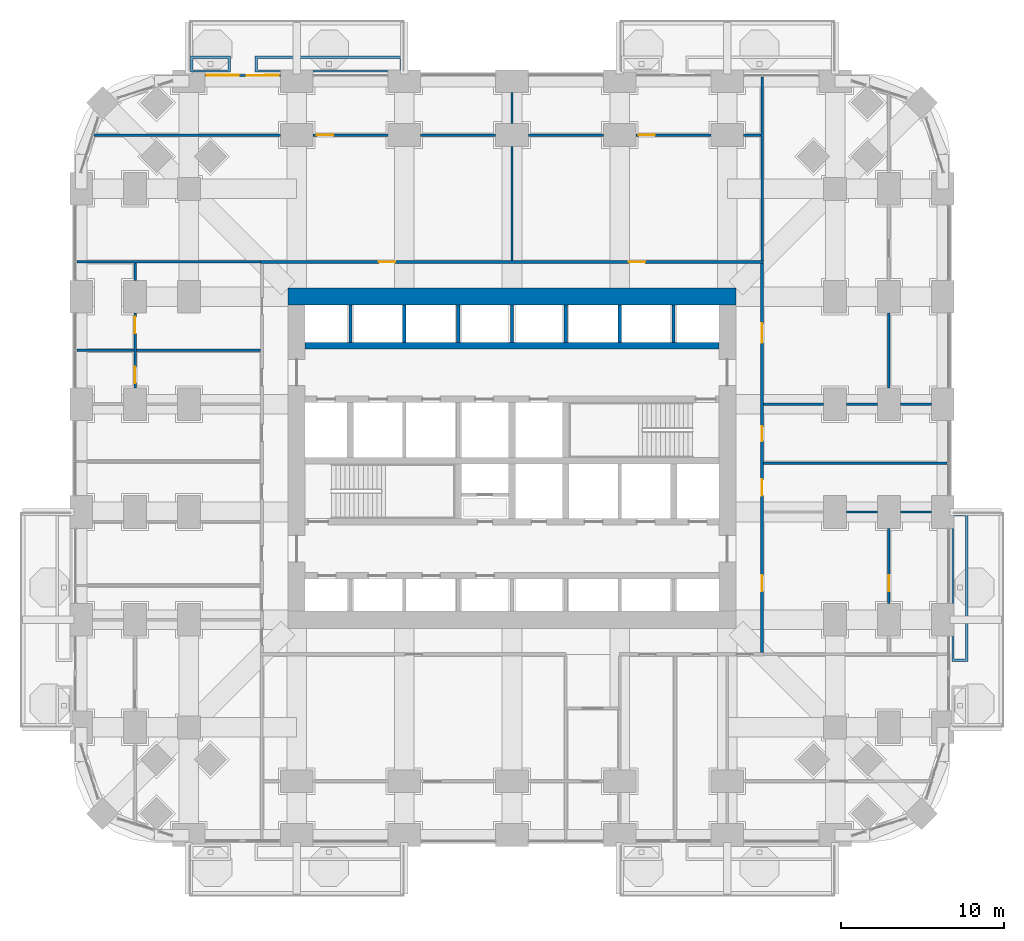
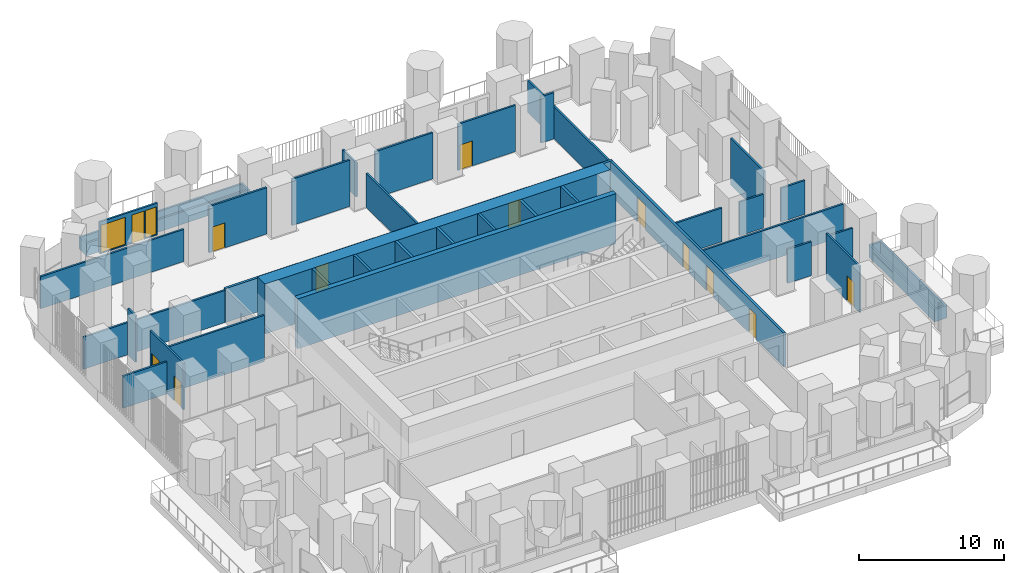
# One storey, part 19 of 25: 37 walls, 12 doors, 2 windows, 14 openings.
"""IFC4 building model written with IfcOpenShell, lengths in metres."""

from ifc_helpers import new_model, si_unit, direction, frame, frame_2d, origin, place, context, subcontext, project, spatial, polyline, rectangle, outline, extrude, material, layer, layer_set, type_object, element, fill, save


model = new_model("IFC4")

# Units and contexts
model_context = context("Model", 3, precision=1e-05, world=origin(), true_north=direction((0.0, 1.0)))
body_context = subcontext(model_context, "Body", "Model", "MODEL_VIEW")
ifc_project = project(units=[si_unit("LENGTHUNIT", "METRE"), si_unit("AREAUNIT", "SQUARE_METRE"), si_unit("VOLUMEUNIT", "CUBIC_METRE"), si_unit("PLANEANGLEUNIT", "RADIAN"), si_unit("MASSUNIT", "GRAM", prefix="KILO")], contexts=[model_context])

# Site, building, storey
site_placement = place(None, origin())
site = spatial("IfcSite", under=ifc_project, at=site_placement, CompositionType="ELEMENT")
building_placement = place(site_placement, origin())
building = spatial("IfcBuilding", under=site, at=building_placement, Name="Cobogo Forest Laboratory Tower", CompositionType="ELEMENT")
storey_placement = place(building_placement, frame((0.0, 0.0, 21.300048828125)))
storey = spatial("IfcBuildingStorey", under=building, at=storey_placement, Name="L04", CompositionType="ELEMENT", Elevation=21.300048828125)

# Walls
ifc_material_1 = material(Name="Concrete HA-50 (C50/60)", Category="concrete")
ifc_layer_1 = layer(ifc_material_1, 0.39990234375)
ifc_layer_set_1 = layer_set([ifc_layer_1], Name="CI400 core inner wall 400")
wall_type_1 = type_object("IfcWallType", Name="CI400 core inner wall 400", PredefinedType="SHEAR", material=ifc_layer_set_1)
wall_1_placement = place(storey_placement, frame((13.72509765625, 30.0, 0.0), z_axis=(0.0, 0.0, 1.0), x_axis=(1.0, 0.0, 0.0)))
element("IfcWall", 1, at=wall_1_placement, inside=storey, type_object=wall_type_1, Name="Core wall CI-30.0 L04", PredefinedType="SHEAR", context=body_context, shape_type="SweptSolid", body=[
    extrude(rectangle(XDim=25.349853515625, YDim=0.39990234375, at=frame_2d((12.6748046875, 0.0))), origin(), (0.0, 0.0, 1.0), 4.199951171875),
])
ifc_layer_2 = layer(ifc_material_1, 1.050048828125)
ifc_layer_set_2 = layer_set([ifc_layer_2], Name="CW1050 core outer wall 1050")
wall_type_2 = type_object("IfcWallType", Name="CW1050 core outer wall 1050", PredefinedType="SHEAR", material=ifc_layer_set_2)
wall_2_placement = place(storey_placement, frame((40.125, 33.0, 0.0), z_axis=(0.0, 0.0, 1.0), x_axis=(-1.0, 0.0, 0.0)))
element("IfcWall", 2, at=wall_2_placement, inside=storey, type_object=wall_type_2, Name="Core wall CO-N L04", PredefinedType="SHEAR", context=body_context, shape_type="SweptSolid", body=[
    extrude(rectangle(XDim=27.449951171875, YDim=1.050048828125, at=frame_2d((13.72509765625, 0.0))), origin(), (0.0, 0.0, 1.0), 4.199951171875),
])

# Wall, openings, door, windows
ifc_material_2 = material(Name="Aluminium framed glazed screen", Category="aluminium")
ifc_layer_3 = layer(ifc_material_2, 0.14990234375)
ifc_layer_set_3 = layer_set([ifc_layer_3], Name="GS1 glazed door screen 150")
wall_type_3 = type_object("IfcWallType", Name="GS1 glazed door screen 150", PredefinedType="SOLIDWALL", material=ifc_layer_set_3)
wall_3_placement = place(storey_placement, frame((12.199951171875, 46.550048828125, 0.0), z_axis=(0.0, 0.0, 1.0), x_axis=(-1.0, 0.0, 0.0)))
wall_3 = element("IfcWall", 3, at=wall_3_placement, inside=storey, type_object=wall_type_3, Name="Door screen BAL-N1 L04", PredefinedType="SOLIDWALL", context=body_context, shape_type="SweptSolid", body=[
    extrude(rectangle(XDim=4.599853515625, YDim=0.14990234375, at=frame_2d((2.2998046875, 0.0))), origin(), (0.0, 0.0, 1.0), 2.699951171875),
])
opening_1_placement = place(wall_3_placement, frame((1.050048828125, 0.0, 0.0)))
opening_1 = element("IfcOpeningElement", 4, at=opening_1_placement, cuts=wall_3, Name="Opening L04-D42", PredefinedType="OPENING", context=body_context, shape_type="SweptSolid", body=[
    extrude(rectangle(XDim=1.0, YDim=2.39990234375, at=frame_2d((0.5, 1.199951171875))), frame((0.0, 0.0849609375, 0.0), z_axis=(0.0, -1.0, 0.0), x_axis=(1.0, 0.0, 0.0)), (0.0, 0.0, 1.0), 0.169921875),
])
opening_2_placement = place(wall_3_placement, frame((0.10009765625, 0.0, 0.10009765625)))
opening_2 = element("IfcOpeningElement", 5, at=opening_2_placement, cuts=wall_3, Name="Opening L04-W10", PredefinedType="OPENING", context=body_context, shape_type="SweptSolid", body=[
    extrude(rectangle(XDim=0.85009765625, YDim=2.300048828125, at=frame_2d((0.425048828125, 1.14990234375))), frame((0.0, 0.0849609375, 0.0), z_axis=(0.0, -1.0, 0.0), x_axis=(1.0, 0.0, 0.0)), (0.0, 0.0, 1.0), 0.169921875),
])
opening_3_placement = place(wall_3_placement, frame((2.550048828125, 0.0, 0.10009765625)))
opening_3 = element("IfcOpeningElement", 6, at=opening_3_placement, cuts=wall_3, Name="Opening L04-W09", PredefinedType="OPENING", context=body_context, shape_type="SweptSolid", body=[
    extrude(rectangle(XDim=1.949951171875, YDim=2.300048828125, at=frame_2d((0.97509765625, 1.14990234375))), frame((0.0, 0.0849609375, 0.0), z_axis=(0.0, -1.0, 0.0), x_axis=(1.0, 0.0, 0.0)), (0.0, 0.0, 1.0), 0.169921875),
])
ifc_material_3 = material(Name="Aluminium glazed door", Category="aluminium")
door_type_1 = type_object("IfcDoorType", Name="DB1 balcony door 1000 glazed", OperationType="SINGLE_SWING_LEFT", PredefinedType="DOOR", material=ifc_material_3)
door_1_placement = place(opening_1_placement, origin())
door_1 = element("IfcDoor", 7, at=door_1_placement, inside=storey, type_object=door_type_1, Name="Door L04-BAL-N1", OperationType="SINGLE_SWING_LEFT", OverallHeight=2.39990234375, OverallWidth=1.0, PredefinedType="DOOR", context=body_context, shape_type="SweptSolid", body=[
    extrude(rectangle(XDim=1.0, YDim=2.39990234375, at=frame_2d((0.5, 1.199951171875))), frame((0.0, 0.02490234375, 0.0), z_axis=(0.0, -1.0, 0.0), x_axis=(1.0, 0.0, 0.0)), (0.0, 0.0, 1.0), 0.050048828125),
])
fill(opening_1, door_1)
ifc_material_4 = material(Name="Aluminium framed glazing", Category="aluminium")
window_type_1 = type_object("IfcWindowType", Name="WG1 fixed glazed light 1950x2300", PartitioningType="SINGLE_PANEL", PredefinedType="WINDOW", material=ifc_material_4)
window_1_placement = place(opening_3_placement, origin())
window_1 = element("IfcWindow", 8, at=window_1_placement, inside=storey, type_object=window_type_1, Name="Window L04-BAL-N1-2", OverallHeight=2.300048828125, OverallWidth=1.949951171875, PartitioningType="SINGLE_PANEL", PredefinedType="WINDOW", context=body_context, shape_type="SweptSolid", body=[
    extrude(rectangle(XDim=1.949951171875, YDim=2.300048828125, at=frame_2d((0.97509765625, 1.14990234375))), frame((0.0, 0.030029296875, 0.0), z_axis=(0.0, -1.0, 0.0), x_axis=(1.0, 0.0, 0.0)), (0.0, 0.0, 1.0), 0.06005859375),
])
fill(opening_3, window_1)
window_type_2 = type_object("IfcWindowType", Name="WG2 fixed glazed light 850x2300", PartitioningType="SINGLE_PANEL", PredefinedType="WINDOW", material=ifc_material_4)
window_2_placement = place(opening_2_placement, origin())
window_2 = element("IfcWindow", 9, at=window_2_placement, inside=storey, type_object=window_type_2, Name="Window L04-BAL-N1-1", OverallHeight=2.300048828125, OverallWidth=0.85009765625, PartitioningType="SINGLE_PANEL", PredefinedType="WINDOW", context=body_context, shape_type="SweptSolid", body=[
    extrude(rectangle(XDim=0.85009765625, YDim=2.300048828125, at=frame_2d((0.425048828125, 1.14990234375))), frame((0.0, 0.030029296875, 0.0), z_axis=(0.0, -1.0, 0.0), x_axis=(1.0, 0.0, 0.0)), (0.0, 0.0, 1.0), 0.06005859375),
])
fill(opening_2, window_2)

# Walls
ifc_material_5 = material(Name="Gypsum board on steel studs", Category="steel")
ifc_layer_4 = layer(ifc_material_5, 0.14990234375)
ifc_layer_set_4 = layer_set([ifc_layer_4], Name="PT1 laboratory partition 150")
wall_type_4 = type_object("IfcWallType", Name="PT1 laboratory partition 150", PredefinedType="PARTITIONING", material=ifc_layer_set_4)
wall_4_placement = place(storey_placement, frame((41.72509765625, 46.469970703125, 0.0), z_axis=(0.0, 0.0, 1.0), x_axis=(0.0, -1.0, 0.0)))
element("IfcWall", 10, at=wall_4_placement, inside=storey, type_object=wall_type_4, Name="Partition PW-NE L04", PredefinedType="PARTITIONING", context=body_context, shape_type="SweptSolid", body=[
    extrude(rectangle(XDim=11.244873046875, YDim=0.14990234375, at=frame_2d((5.62255859375, 0.0))), origin(), (0.0, 0.0, 1.0), 2.699951171875),
])
wall_5_placement = place(storey_placement, frame((-0.27001953125, 35.125, 0.0), z_axis=(0.0, 0.0, 1.0), x_axis=(1.0, 0.0, 0.0)))
element("IfcWall", 11, at=wall_5_placement, inside=storey, type_object=wall_type_4, Name="Partition PW-NW L04", PredefinedType="PARTITIONING", context=body_context, shape_type="SweptSolid", body=[
    extrude(rectangle(XDim=11.2451171875, YDim=0.14990234375, at=frame_2d((5.62255859375, 0.0))), origin(), (0.0, 0.0, 1.0), 2.699951171875),
])

# Wall, opening, door
wall_6_placement = place(storey_placement, frame((49.5, 14.199951171875, 0.0), z_axis=(0.0, 0.0, 1.0), x_axis=(0.0, 1.0, 0.0)))
wall_6 = element("IfcWall", 12, at=wall_6_placement, inside=storey, type_object=wall_type_4, Name="Partition STRIP-E-2 L04", PredefinedType="PARTITIONING", context=body_context, shape_type="SweptSolid", body=[
    extrude(rectangle(XDim=4.60009765625, YDim=0.14990234375, at=frame_2d((2.300048828125, 0.0))), origin(), (0.0, 0.0, 1.0), 3.89990234375),
])
opening_4_placement = place(wall_6_placement, frame((0.737548828125, 0.0, 0.0)))
opening_4 = element("IfcOpeningElement", 13, at=opening_4_placement, cuts=wall_6, Name="Opening L04-D17", PredefinedType="OPENING", context=body_context, shape_type="SweptSolid", body=[
    extrude(rectangle(XDim=1.0, YDim=2.10009765625, at=frame_2d((0.5, 1.050048828125))), frame((0.0, 0.0849609375, 0.0), z_axis=(0.0, -1.0, 0.0), x_axis=(1.0, 0.0, 0.0)), (0.0, 0.0, 1.0), 0.169921875),
])
ifc_material_6 = material(Name="Timber fire door", Category="wood")
door_type_2 = type_object("IfcDoorType", Name="FD2 fire door 1000 EI2 30", OperationType="SINGLE_SWING_LEFT", PredefinedType="DOOR", material=ifc_material_6)
door_2_placement = place(opening_4_placement, origin())
door_2 = element("IfcDoor", 14, at=door_2_placement, inside=storey, type_object=door_type_2, Name="Door L04-E1W", OperationType="SINGLE_SWING_LEFT", OverallHeight=2.10009765625, OverallWidth=1.0, PredefinedType="DOOR", context=body_context, shape_type="SweptSolid", body=[
    extrude(rectangle(XDim=1.0, YDim=2.10009765625, at=frame_2d((0.5, 1.050048828125))), frame((0.0, 0.02490234375, 0.0), z_axis=(0.0, -1.0, 0.0), x_axis=(1.0, 0.0, 0.0)), (0.0, 0.0, 1.0), 0.050048828125),
])
fill(opening_4, door_2)

# Walls
wall_7_placement = place(storey_placement, frame((49.5, 27.39990234375, 0.0), z_axis=(0.0, 0.0, 1.0), x_axis=(0.0, 1.0, 0.0)))
element("IfcWall", 15, at=wall_7_placement, inside=storey, type_object=wall_type_4, Name="Partition STRIP-E-3 L04", PredefinedType="PARTITIONING", context=body_context, shape_type="SweptSolid", body=[
    extrude(rectangle(XDim=4.60009765625, YDim=0.14990234375, at=frame_2d((2.300048828125, 0.0))), origin(), (0.0, 0.0, 1.0), 3.89990234375),
])
wall_8_placement = place(storey_placement, frame((53.070068359375, 22.800048828125, 0.0), z_axis=(0.0, 0.0, 1.0), x_axis=(-1.0, 0.0, 0.0)))
element("IfcWall", 16, at=wall_8_placement, inside=storey, type_object=wall_type_4, Name="Partition SVC-E1-1 L04", PredefinedType="PARTITIONING", context=body_context, shape_type="SweptSolid", body=[
    extrude(rectangle(XDim=11.2451171875, YDim=0.14990234375, at=frame_2d((5.62255859375, 0.0))), origin(), (0.0, 0.0, 1.0), 2.699951171875),
])
for number, where, z_axis, x_axis, name in (
    (17, (52.10009765625, 26.39990234375, 0.0), (0.0, 0.0, 1.0), (-1.0, 0.0, 0.0), "Partition SVC-E2-1 L04"),
    (18, (48.800048828125, 26.39990234375, 0.0), (0.0, 0.0, 1.0), (-1.0, 0.0, 0.0), "Partition SVC-E2-2 L04"),
):
    element("IfcWall", number, at=place(storey_placement, frame(where, z_axis=z_axis, x_axis=x_axis)), inside=storey, type_object=wall_type_4, Name=name, PredefinedType="PARTITIONING", context=body_context, shape_type="SweptSolid", body=[
        extrude(rectangle(XDim=1.900146484375, YDim=0.14990234375, at=frame_2d((0.9501953125, 0.0))), origin(), (0.0, 0.0, 1.0), 2.849853515625),
    ])
wall_9_placement = place(storey_placement, frame((45.5, 26.39990234375, 0.0), z_axis=(0.0, 0.0, 1.0), x_axis=(-1.0, 0.0, 0.0)))
element("IfcWall", 19, at=wall_9_placement, inside=storey, type_object=wall_type_4, Name="Partition SVC-E2-3 L04", PredefinedType="PARTITIONING", context=body_context, shape_type="SweptSolid", body=[
    extrude(rectangle(XDim=3.675048828125, YDim=0.14990234375, at=frame_2d((1.83740234375, 0.0))), origin(), (0.0, 0.0, 1.0), 2.849853515625),
])
for number, where, z_axis, x_axis, name in (
    (20, (52.10009765625, 19.800048828125, 0.0), (0.0, 0.0, 1.0), (-1.0, 0.0, 0.0), "Partition CUT-E19.8-1 L04"),
    (21, (48.800048828125, 19.800048828125, 0.0), (0.0, 0.0, 1.0), (-1.0, 0.0, 0.0), "Partition CUT-E19.8-2 L04"),
):
    element("IfcWall", number, at=place(storey_placement, frame(where, z_axis=z_axis, x_axis=x_axis)), inside=storey, type_object=wall_type_4, Name=name, PredefinedType="PARTITIONING", context=body_context, shape_type="SweptSolid", body=[
        extrude(rectangle(XDim=1.900146484375, YDim=0.14990234375, at=frame_2d((0.9501953125, 0.0))), origin(), (0.0, 0.0, 1.0), 2.849853515625),
    ])
wall_10_placement = place(storey_placement, frame((41.64990234375, 42.89990234375, 0.0), z_axis=(0.0, 0.0, 1.0), x_axis=(-1.0, 0.0, 0.0)))
element("IfcWall", 22, at=wall_10_placement, inside=storey, type_object=wall_type_4, Name="Partition STRIP-N-1 L04", PredefinedType="PARTITIONING", context=body_context, shape_type="SweptSolid", body=[
    extrude(rectangle(XDim=1.0498046875, YDim=0.14990234375, at=frame_2d((0.52490234375, 0.0))), origin(), (0.0, 0.0, 1.0), 3.89990234375),
])

# Wall, opening, door
wall_11_placement = place(storey_placement, frame((38.60009765625, 42.89990234375, 0.0), z_axis=(0.0, 0.0, 1.0), x_axis=(-1.0, 0.0, 0.0)))
wall_11 = element("IfcWall", 23, at=wall_11_placement, inside=storey, type_object=wall_type_4, Name="Partition STRIP-N-2 L04", PredefinedType="PARTITIONING", context=body_context, shape_type="SweptSolid", body=[
    extrude(rectangle(XDim=4.60009765625, YDim=0.14990234375, at=frame_2d((2.300048828125, 0.0))), origin(), (0.0, 0.0, 1.0), 3.89990234375),
])
opening_5_placement = place(wall_11_placement, frame((3.4375, 0.0, 0.0)))
opening_5 = element("IfcOpeningElement", 24, at=opening_5_placement, cuts=wall_11, Name="Opening L04-D41", PredefinedType="OPENING", context=body_context, shape_type="SweptSolid", body=[
    extrude(rectangle(XDim=1.0, YDim=2.10009765625, at=frame_2d((0.5, 1.050048828125))), frame((0.0, 0.0849609375, 0.0), z_axis=(0.0, -1.0, 0.0), x_axis=(1.0, 0.0, 0.0)), (0.0, 0.0, 1.0), 0.169921875),
])
door_3_placement = place(opening_5_placement, origin())
door_3 = element("IfcDoor", 25, at=door_3_placement, inside=storey, type_object=door_type_2, Name="Door L04-N2W", OperationType="SINGLE_SWING_RIGHT", OverallHeight=2.10009765625, OverallWidth=1.0, PredefinedType="DOOR", context=body_context, shape_type="SweptSolid", body=[
    extrude(rectangle(XDim=1.0, YDim=2.10009765625, at=frame_2d((0.5, 1.050048828125))), frame((0.0, 0.02490234375, 0.0), z_axis=(0.0, -1.0, 0.0), x_axis=(1.0, 0.0, 0.0)), (0.0, 0.0, 1.0), 0.050048828125),
])
fill(opening_5, door_3)

# Walls
wall_12_placement = place(storey_placement, frame((32.0, 42.89990234375, 0.0), z_axis=(0.0, 0.0, 1.0), x_axis=(-1.0, 0.0, 0.0)))
element("IfcWall", 26, at=wall_12_placement, inside=storey, type_object=wall_type_4, Name="Partition STRIP-N-3 L04", PredefinedType="PARTITIONING", context=body_context, shape_type="SweptSolid", body=[
    extrude(rectangle(XDim=4.60009765625, YDim=0.14990234375, at=frame_2d((2.300048828125, 0.0))), origin(), (0.0, 0.0, 1.0), 3.89990234375),
])
wall_13_placement = place(storey_placement, frame((25.39990234375, 42.89990234375, 0.0), z_axis=(0.0, 0.0, 1.0), x_axis=(-1.0, 0.0, 0.0)))
element("IfcWall", 27, at=wall_13_placement, inside=storey, type_object=wall_type_4, Name="Partition STRIP-N-4 L04", PredefinedType="PARTITIONING", context=body_context, shape_type="SweptSolid", body=[
    extrude(rectangle(XDim=4.599853515625, YDim=0.14990234375, at=frame_2d((2.2998046875, 0.0))), origin(), (0.0, 0.0, 1.0), 3.89990234375),
])

# Wall, opening, door
wall_14_placement = place(storey_placement, frame((18.800048828125, 42.89990234375, 0.0), z_axis=(0.0, 0.0, 1.0), x_axis=(-1.0, 0.0, 0.0)))
wall_14 = element("IfcWall", 28, at=wall_14_placement, inside=storey, type_object=wall_type_4, Name="Partition STRIP-N-5 L04", PredefinedType="PARTITIONING", context=body_context, shape_type="SweptSolid", body=[
    extrude(rectangle(XDim=4.60009765625, YDim=0.14990234375, at=frame_2d((2.300048828125, 0.0))), origin(), (0.0, 0.0, 1.0), 3.89990234375),
])
opening_6_placement = place(wall_14_placement, frame((3.35009765625, 0.0, 0.0)))
opening_6 = element("IfcOpeningElement", 29, at=opening_6_placement, cuts=wall_14, Name="Opening L04-D40", PredefinedType="OPENING", context=body_context, shape_type="SweptSolid", body=[
    extrude(rectangle(XDim=1.0, YDim=2.10009765625, at=frame_2d((0.5, 1.050048828125))), frame((0.0, 0.0849609375, 0.0), z_axis=(0.0, -1.0, 0.0), x_axis=(1.0, 0.0, 0.0)), (0.0, 0.0, 1.0), 0.169921875),
])
door_4_placement = place(opening_6_placement, origin())
door_4 = element("IfcDoor", 30, at=door_4_placement, inside=storey, type_object=door_type_2, Name="Door L04-N1W", OperationType="SINGLE_SWING_RIGHT", OverallHeight=2.10009765625, OverallWidth=1.0, PredefinedType="DOOR", context=body_context, shape_type="SweptSolid", body=[
    extrude(rectangle(XDim=1.0, YDim=2.10009765625, at=frame_2d((0.5, 1.050048828125))), frame((0.0, 0.02490234375, 0.0), z_axis=(0.0, -1.0, 0.0), x_axis=(1.0, 0.0, 0.0)), (0.0, 0.0, 1.0), 0.050048828125),
])
fill(opening_6, door_4)

# Walls
wall_15_placement = place(storey_placement, frame((12.199951171875, 42.89990234375, 0.0), z_axis=(0.0, 0.0, 1.0), x_axis=(-1.0, 0.0, 0.0)))
element("IfcWall", 31, at=wall_15_placement, inside=storey, type_object=wall_type_4, Name="Partition STRIP-N-6 L04", PredefinedType="PARTITIONING", context=body_context, shape_type="SweptSolid", body=[
    extrude(rectangle(XDim=11.423828125, YDim=0.14990234375, at=frame_2d((5.7119140625, 0.0))), origin(), (0.0, 0.0, 1.0), 2.699951171875),
])
wall_16_placement = place(storey_placement, frame((26.39990234375, 45.5, 0.0), z_axis=(0.0, 0.0, 1.0), x_axis=(0.0, -1.0, 0.0)))
element("IfcWall", 32, at=wall_16_placement, inside=storey, type_object=wall_type_4, Name="Partition CUT-N26.4a-1 L04", PredefinedType="PARTITIONING", context=body_context, shape_type="SweptSolid", body=[
    extrude(rectangle(XDim=1.89990234375, YDim=0.14990234375, at=frame_2d((0.949951171875, 0.0))), origin(), (0.0, 0.0, 1.0), 2.849853515625),
])
wall_17_placement = place(storey_placement, frame((26.39990234375, 42.199951171875, 0.0), z_axis=(0.0, 0.0, 1.0), x_axis=(0.0, -1.0, 0.0)))
element("IfcWall", 33, at=wall_17_placement, inside=storey, type_object=wall_type_4, Name="Partition CUT-N26.4b-1 L04", PredefinedType="PARTITIONING", context=body_context, shape_type="SweptSolid", body=[
    extrude(rectangle(XDim=6.974853515625, YDim=0.14990234375, at=frame_2d((3.4873046875, 0.0))), origin(), (0.0, 0.0, 1.0), 2.849853515625),
])
wall_18_placement = place(storey_placement, frame((3.300048828125, 35.050048828125, 0.0), z_axis=(0.0, 0.0, 1.0), x_axis=(0.0, -1.0, 0.0)))
element("IfcWall", 34, at=wall_18_placement, inside=storey, type_object=wall_type_4, Name="Partition STRIP-W-1 L04", PredefinedType="PARTITIONING", context=body_context, shape_type="SweptSolid", body=[
    extrude(rectangle(XDim=1.050048828125, YDim=0.14990234375, at=frame_2d((0.52490234375, 0.0))), origin(), (0.0, 0.0, 1.0), 3.89990234375),
])

# Wall, openings, doors
wall_19_placement = place(storey_placement, frame((3.300048828125, 32.0, 0.0), z_axis=(0.0, 0.0, 1.0), x_axis=(0.0, -1.0, 0.0)))
wall_19 = element("IfcWall", 35, at=wall_19_placement, inside=storey, type_object=wall_type_4, Name="Partition STRIP-W-2 L04", PredefinedType="PARTITIONING", context=body_context, shape_type="SweptSolid", body=[
    extrude(rectangle(XDim=4.60009765625, YDim=0.14990234375, at=frame_2d((2.300048828125, 0.0))), origin(), (0.0, 0.0, 1.0), 3.89990234375),
])
opening_7_placement = place(wall_19_placement, frame((3.300048828125, 0.0, 0.0)))
opening_7 = element("IfcOpeningElement", 36, at=opening_7_placement, cuts=wall_19, Name="Opening L04-D31", PredefinedType="OPENING", context=body_context, shape_type="SweptSolid", body=[
    extrude(rectangle(XDim=1.0, YDim=2.10009765625, at=frame_2d((0.5, 1.050048828125))), frame((0.0, 0.0849609375, 0.0), z_axis=(0.0, -1.0, 0.0), x_axis=(1.0, 0.0, 0.0)), (0.0, 0.0, 1.0), 0.169921875),
])
opening_8_placement = place(wall_19_placement, frame((0.25, 0.0, 0.0)))
opening_8 = element("IfcOpeningElement", 37, at=opening_8_placement, cuts=wall_19, Name="Opening L04-D35", PredefinedType="OPENING", context=body_context, shape_type="SweptSolid", body=[
    extrude(rectangle(XDim=1.0, YDim=2.10009765625, at=frame_2d((0.5, 1.050048828125))), frame((0.0, 0.0849609375, 0.0), z_axis=(0.0, -1.0, 0.0), x_axis=(1.0, 0.0, 0.0)), (0.0, 0.0, 1.0), 0.169921875),
])
door_5_placement = place(opening_7_placement, origin())
door_5 = element("IfcDoor", 38, at=door_5_placement, inside=storey, type_object=door_type_2, Name="Door L04-W3W", OperationType="SINGLE_SWING_RIGHT", OverallHeight=2.10009765625, OverallWidth=1.0, PredefinedType="DOOR", context=body_context, shape_type="SweptSolid", body=[
    extrude(rectangle(XDim=1.0, YDim=2.10009765625, at=frame_2d((0.5, 1.050048828125))), frame((0.0, 0.02490234375, 0.0), z_axis=(0.0, -1.0, 0.0), x_axis=(1.0, 0.0, 0.0)), (0.0, 0.0, 1.0), 0.050048828125),
])
fill(opening_7, door_5)
door_6_placement = place(opening_8_placement, origin())
door_6 = element("IfcDoor", 39, at=door_6_placement, inside=storey, type_object=door_type_2, Name="Door L04-W4W", OperationType="SINGLE_SWING_LEFT", OverallHeight=2.10009765625, OverallWidth=1.0, PredefinedType="DOOR", context=body_context, shape_type="SweptSolid", body=[
    extrude(rectangle(XDim=1.0, YDim=2.10009765625, at=frame_2d((0.5, 1.050048828125))), frame((0.0, 0.02490234375, 0.0), z_axis=(0.0, -1.0, 0.0), x_axis=(1.0, 0.0, 0.0)), (0.0, 0.0, 1.0), 0.050048828125),
])
fill(opening_8, door_6)

# Walls
wall_20_placement = place(storey_placement, frame((-0.27001953125, 29.699951171875, 0.0), z_axis=(0.0, 0.0, 1.0), x_axis=(1.0, 0.0, 0.0)))
element("IfcWall", 40, at=wall_20_placement, inside=storey, type_object=wall_type_4, Name="Partition CUT-W29.7a-1 L04", PredefinedType="PARTITIONING", context=body_context, shape_type="SweptSolid", body=[
    extrude(rectangle(XDim=3.4951171875, YDim=0.14990234375, at=frame_2d((1.74755859375, 0.0))), origin(), (0.0, 0.0, 1.0), 2.699951171875),
])
wall_21_placement = place(storey_placement, frame((3.375, 29.699951171875, 0.0), z_axis=(0.0, 0.0, 1.0), x_axis=(1.0, 0.0, 0.0)))
element("IfcWall", 41, at=wall_21_placement, inside=storey, type_object=wall_type_4, Name="Partition CUT-W29.7b-1 L04", PredefinedType="PARTITIONING", context=body_context, shape_type="SweptSolid", body=[
    extrude(rectangle(XDim=7.60009765625, YDim=0.14990234375, at=frame_2d((3.800048828125, 0.0))), origin(), (0.0, 0.0, 1.0), 3.89990234375),
])

# Wall, openings, doors
ifc_layer_5 = layer(ifc_material_5, 0.199951171875)
ifc_layer_set_5 = layer_set([ifc_layer_5], Name="PT2 fire-rated corridor partition 200")
wall_type_5 = type_object("IfcWallType", Name="PT2 fire-rated corridor partition 200", PredefinedType="PARTITIONING", material=ifc_layer_set_5)
wall_22_placement = place(storey_placement, frame((10.97509765625, 35.125, 0.0), z_axis=(0.0, 0.0, 1.0), x_axis=(1.0, 0.0, 0.0)))
wall_22 = element("IfcWall", 42, at=wall_22_placement, inside=storey, type_object=wall_type_5, Name="Partition CORR-N L04", PredefinedType="PARTITIONING", context=body_context, shape_type="SweptSolid", body=[
    extrude(rectangle(XDim=30.849853515625, YDim=0.199951171875, at=frame_2d((15.4248046875, 0.0))), origin(), (0.0, 0.0, 1.0), 2.849853515625),
])
opening_9_placement = place(wall_22_placement, frame((7.262451171875, 0.0, 0.0)))
opening_9 = element("IfcOpeningElement", 43, at=opening_9_placement, cuts=wall_22, Name="Opening L04-D37", PredefinedType="OPENING", context=body_context, shape_type="SweptSolid", body=[
    extrude(rectangle(XDim=1.0, YDim=2.10009765625, at=frame_2d((0.5, 1.050048828125))), frame((0.0, 0.10986328125, 0.0), z_axis=(0.0, -1.0, 0.0), x_axis=(1.0, 0.0, 0.0)), (0.0, 0.0, 1.0), 0.219970703125),
])
opening_10_placement = place(wall_22_placement, frame((22.58740234375, 0.0, 0.0)))
opening_10 = element("IfcOpeningElement", 44, at=opening_10_placement, cuts=wall_22, Name="Opening L04-D38", PredefinedType="OPENING", context=body_context, shape_type="SweptSolid", body=[
    extrude(rectangle(XDim=1.0, YDim=2.10009765625, at=frame_2d((0.5, 1.050048828125))), frame((0.0, 0.10986328125, 0.0), z_axis=(0.0, -1.0, 0.0), x_axis=(1.0, 0.0, 0.0)), (0.0, 0.0, 1.0), 0.219970703125),
])
door_7_placement = place(opening_9_placement, origin())
door_7 = element("IfcDoor", 45, at=door_7_placement, inside=storey, type_object=door_type_2, Name="Door L04-N1", OperationType="SINGLE_SWING_LEFT", OverallHeight=2.10009765625, OverallWidth=1.0, PredefinedType="DOOR", context=body_context, shape_type="SweptSolid", body=[
    extrude(rectangle(XDim=1.0, YDim=2.10009765625, at=frame_2d((0.5, 1.050048828125))), frame((0.0, 0.02490234375, 0.0), z_axis=(0.0, -1.0, 0.0), x_axis=(1.0, 0.0, 0.0)), (0.0, 0.0, 1.0), 0.050048828125),
])
fill(opening_9, door_7)
door_8_placement = place(opening_10_placement, origin())
door_8 = element("IfcDoor", 46, at=door_8_placement, inside=storey, type_object=door_type_2, Name="Door L04-N2", OperationType="SINGLE_SWING_RIGHT", OverallHeight=2.10009765625, OverallWidth=1.0, PredefinedType="DOOR", context=body_context, shape_type="SweptSolid", body=[
    extrude(rectangle(XDim=1.0, YDim=2.10009765625, at=frame_2d((0.5, 1.050048828125))), frame((0.0, 0.02490234375, 0.0), z_axis=(0.0, -1.0, 0.0), x_axis=(1.0, 0.0, 0.0)), (0.0, 0.0, 1.0), 0.050048828125),
])
fill(opening_10, door_8)

wall_23_placement = place(storey_placement, frame((41.72509765625, 11.175048828125, 0.0), z_axis=(0.0, 0.0, 1.0), x_axis=(0.0, 1.0, 0.0)))
wall_23 = element("IfcWall", 47, at=wall_23_placement, inside=storey, type_object=wall_type_5, Name="Partition CORR-E L04", PredefinedType="PARTITIONING", context=body_context, shape_type="SweptSolid", body=[
    extrude(rectangle(XDim=23.849853515625, YDim=0.199951171875, at=frame_2d((11.9248046875, 0.0))), origin(), (0.0, 0.0, 1.0), 2.849853515625),
])
opening_11_placement = place(wall_23_placement, frame((3.762451171875, 0.0, 0.0)))
opening_11 = element("IfcOpeningElement", 48, at=opening_11_placement, cuts=wall_23, Name="Opening L04-D16", PredefinedType="OPENING", context=body_context, shape_type="SweptSolid", body=[
    extrude(rectangle(XDim=1.0, YDim=2.10009765625, at=frame_2d((0.5, 1.050048828125))), frame((0.0, 0.10986328125, 0.0), z_axis=(0.0, -1.0, 0.0), x_axis=(1.0, 0.0, 0.0)), (0.0, 0.0, 1.0), 0.219970703125),
])
opening_12_placement = place(wall_23_placement, frame((9.625, 0.0, 0.0)))
opening_12 = element("IfcOpeningElement", 49, at=opening_12_placement, cuts=wall_23, Name="Opening L04-D26", PredefinedType="OPENING", context=body_context, shape_type="SweptSolid", body=[
    extrude(rectangle(XDim=1.0, YDim=2.10009765625, at=frame_2d((0.5, 1.050048828125))), frame((0.0, 0.10986328125, 0.0), z_axis=(0.0, -1.0, 0.0), x_axis=(1.0, 0.0, 0.0)), (0.0, 0.0, 1.0), 0.219970703125),
])
opening_13_placement = place(wall_23_placement, frame((12.97509765625, 0.0, 0.0)))
opening_13 = element("IfcOpeningElement", 50, at=opening_13_placement, cuts=wall_23, Name="Opening L04-D27", PredefinedType="OPENING", context=body_context, shape_type="SweptSolid", body=[
    extrude(rectangle(XDim=0.89990234375, YDim=2.10009765625, at=frame_2d((0.449951171875, 1.050048828125))), frame((0.0, 0.10986328125, 0.0), z_axis=(0.0, -1.0, 0.0), x_axis=(1.0, 0.0, 0.0)), (0.0, 0.0, 1.0), 0.219970703125),
])
opening_14_placement = place(wall_23_placement, frame((18.987548828125, 0.0, 0.0)))
opening_14 = element("IfcOpeningElement", 51, at=opening_14_placement, cuts=wall_23, Name="Opening L04-D34", PredefinedType="OPENING", context=body_context, shape_type="SweptSolid", body=[
    extrude(rectangle(XDim=1.199951171875, YDim=2.10009765625, at=frame_2d((0.60009765625, 1.050048828125))), frame((0.0, 0.10986328125, 0.0), z_axis=(0.0, -1.0, 0.0), x_axis=(1.0, 0.0, 0.0)), (0.0, 0.0, 1.0), 0.219970703125),
])
ifc_material_7 = material(Name="Timber door", Category="wood")
door_type_3 = type_object("IfcDoorType", Name="D2 laboratory door 1200 unequal pair", OperationType="DOUBLE_DOOR_SINGLE_SWING", PredefinedType="DOOR", material=ifc_material_7)
door_9_placement = place(opening_14_placement, origin())
door_9 = element("IfcDoor", 52, at=door_9_placement, inside=storey, type_object=door_type_3, Name="Door L04-E2", OperationType="DOUBLE_DOOR_SINGLE_SWING", OverallHeight=2.10009765625, OverallWidth=1.199951171875, PredefinedType="DOOR", context=body_context, shape_type="SweptSolid", body=[
    extrude(rectangle(XDim=1.199951171875, YDim=2.10009765625, at=frame_2d((0.60009765625, 1.050048828125))), frame((0.0, 0.02490234375, 0.0), z_axis=(0.0, -1.0, 0.0), x_axis=(1.0, 0.0, 0.0)), (0.0, 0.0, 1.0), 0.050048828125),
])
fill(opening_14, door_9)
ifc_material_8 = material(Name="Steel fire door", Category="steel")
door_type_4 = type_object("IfcDoorType", Name="FD1 fire door 1000 EI2 60", OperationType="SINGLE_SWING_LEFT", PredefinedType="DOOR", material=ifc_material_8)
door_10_placement = place(opening_12_placement, origin())
door_10 = element("IfcDoor", 53, at=door_10_placement, inside=storey, type_object=door_type_4, Name="Door L04-ELEC", OperationType="SINGLE_SWING_LEFT", OverallHeight=2.10009765625, OverallWidth=1.0, PredefinedType="DOOR", context=body_context, shape_type="SweptSolid", body=[
    extrude(rectangle(XDim=1.0, YDim=2.10009765625, at=frame_2d((0.5, 1.050048828125))), frame((0.0, 0.02490234375, 0.0), z_axis=(0.0, -1.0, 0.0), x_axis=(1.0, 0.0, 0.0)), (0.0, 0.0, 1.0), 0.050048828125),
])
fill(opening_12, door_10)
door_11_placement = place(opening_11_placement, origin())
door_11 = element("IfcDoor", 54, at=door_11_placement, inside=storey, type_object=door_type_2, Name="Door L04-E1", OperationType="SINGLE_SWING_LEFT", OverallHeight=2.10009765625, OverallWidth=1.0, PredefinedType="DOOR", context=body_context, shape_type="SweptSolid", body=[
    extrude(rectangle(XDim=1.0, YDim=2.10009765625, at=frame_2d((0.5, 1.050048828125))), frame((0.0, 0.02490234375, 0.0), z_axis=(0.0, -1.0, 0.0), x_axis=(1.0, 0.0, 0.0)), (0.0, 0.0, 1.0), 0.050048828125),
])
fill(opening_11, door_11)
door_type_5 = type_object("IfcDoorType", Name="FD4 riser access door 900 EI2 60", OperationType="SINGLE_SWING_LEFT", PredefinedType="DOOR", material=ifc_material_8)
door_12_placement = place(opening_13_placement, origin())
door_12 = element("IfcDoor", 55, at=door_12_placement, inside=storey, type_object=door_type_5, Name="Door L04-COMMS", OperationType="SINGLE_SWING_RIGHT", OverallHeight=2.10009765625, OverallWidth=0.89990234375, PredefinedType="DOOR", context=body_context, shape_type="SweptSolid", body=[
    extrude(rectangle(XDim=0.89990234375, YDim=2.10009765625, at=frame_2d((0.449951171875, 1.050048828125))), frame((0.0, 0.02490234375, 0.0), z_axis=(0.0, -1.0, 0.0), x_axis=(1.0, 0.0, 0.0)), (0.0, 0.0, 1.0), 0.050048828125),
])
fill(opening_13, door_12)

# Walls
ifc_material_9 = material(Name="Concrete HA-40 (C40/50)", Category="concrete")
ifc_layer_6 = layer(ifc_material_9, 0.14990234375)
ifc_layer_set_6 = layer_set([ifc_layer_6], Name="Planter box 1000x1050")
wall_type_6 = type_object("IfcWallType", Name="Planter box 1000x1050", PredefinedType="USERDEFINED", material=ifc_layer_set_6)
wall_24_placement = place(storey_placement, origin())
element("IfcWall", 56, at=wall_24_placement, inside=storey, type_object=wall_type_6, Name="Planter BAL-E1-2 L04", ObjectType="PLANTER", PredefinedType="USERDEFINED", context=body_context, shape_type="SweptSolid", body=[
    extrude(outline(polyline([(53.35009765625, 10.64990234375), (54.35009765625, 10.64990234375), (54.35009765625, 19.699951171875), (53.35009765625, 19.699951171875), (53.35009765625, 10.64990234375)]), holes=[polyline([(53.5, 10.800048828125), (54.199951171875, 10.800048828125), (54.199951171875, 19.550048828125), (53.5, 19.550048828125), (53.5, 10.800048828125)])]), origin(), (0.0, 0.0, 1.0), 1.050048828125),
])
wall_25_placement = place(storey_placement, origin())
element("IfcWall", 57, at=wall_25_placement, inside=storey, type_object=wall_type_6, Name="Planter BAL-N1-1 L04", ObjectType="PLANTER", PredefinedType="USERDEFINED", context=body_context, shape_type="SweptSolid", body=[
    extrude(outline(polyline([(6.699951171875, 46.75), (9.14990234375, 46.75), (9.14990234375, 47.75), (6.699951171875, 47.75), (6.699951171875, 46.75)]), holes=[polyline([(6.85009765625, 46.89990234375), (9.0, 46.89990234375), (9.0, 47.60009765625), (6.85009765625, 47.60009765625), (6.85009765625, 46.89990234375)])]), origin(), (0.0, 0.0, 1.0), 1.050048828125),
])
wall_26_placement = place(storey_placement, origin())
element("IfcWall", 58, at=wall_26_placement, inside=storey, type_object=wall_type_6, Name="Planter BAL-N1-2 L04", ObjectType="PLANTER", PredefinedType="USERDEFINED", context=body_context, shape_type="SweptSolid", body=[
    extrude(outline(polyline([(10.64990234375, 46.75), (19.699951171875, 46.75), (19.699951171875, 47.75), (10.64990234375, 47.75), (10.64990234375, 46.75)]), holes=[polyline([(10.800048828125, 46.89990234375), (19.550048828125, 46.89990234375), (19.550048828125, 47.60009765625), (10.800048828125, 47.60009765625), (10.800048828125, 46.89990234375)])]), origin(), (0.0, 0.0, 1.0), 1.050048828125),
])
ifc_material_10 = material(Name="Concrete block", Category="concrete")
ifc_layer_7 = layer(ifc_material_10, 0.199951171875)
ifc_layer_set_7 = layer_set([ifc_layer_7], Name="SW200 lift shaft separator 200")
wall_type_7 = type_object("IfcWallType", Name="SW200 lift shaft separator 200", PredefinedType="PARTITIONING", material=ifc_layer_set_7)
for number, where, z_axis, x_axis, name in (
    (59, (16.5, 30.199951171875, 0.0), (0.0, 0.0, 1.0), (0.0, 1.0, 0.0), "Core wall SEP-N1 L04"),
    (60, (19.800048828125, 30.199951171875, 0.0), (0.0, 0.0, 1.0), (0.0, 1.0, 0.0), "Core wall SEP-N2 L04"),
    (61, (23.10009765625, 30.199951171875, 0.0), (0.0, 0.0, 1.0), (0.0, 1.0, 0.0), "Core wall SEP-N3 L04"),
    (62, (26.39990234375, 30.199951171875, 0.0), (0.0, 0.0, 1.0), (0.0, 1.0, 0.0), "Core wall SEP-N4 L04"),
    (63, (29.699951171875, 30.199951171875, 0.0), (0.0, 0.0, 1.0), (0.0, 1.0, 0.0), "Core wall SEP-N5 L04"),
    (64, (33.0, 30.199951171875, 0.0), (0.0, 0.0, 1.0), (0.0, 1.0, 0.0), "Core wall SEP-N6 L04"),
    (65, (36.300048828125, 30.199951171875, 0.0), (0.0, 0.0, 1.0), (0.0, 1.0, 0.0), "Core wall SEP-N7 L04"),
):
    element("IfcWall", number, at=place(storey_placement, frame(where, z_axis=z_axis, x_axis=x_axis)), inside=storey, type_object=wall_type_7, Name=name, PredefinedType="PARTITIONING", context=body_context, shape_type="SweptSolid", body=[
        extrude(rectangle(XDim=2.275146484375, YDim=0.199951171875, at=frame_2d((1.1376953125, 0.0))), origin(), (0.0, 0.0, 1.0), 4.199951171875),
    ])

save(model, "model.ifc")
